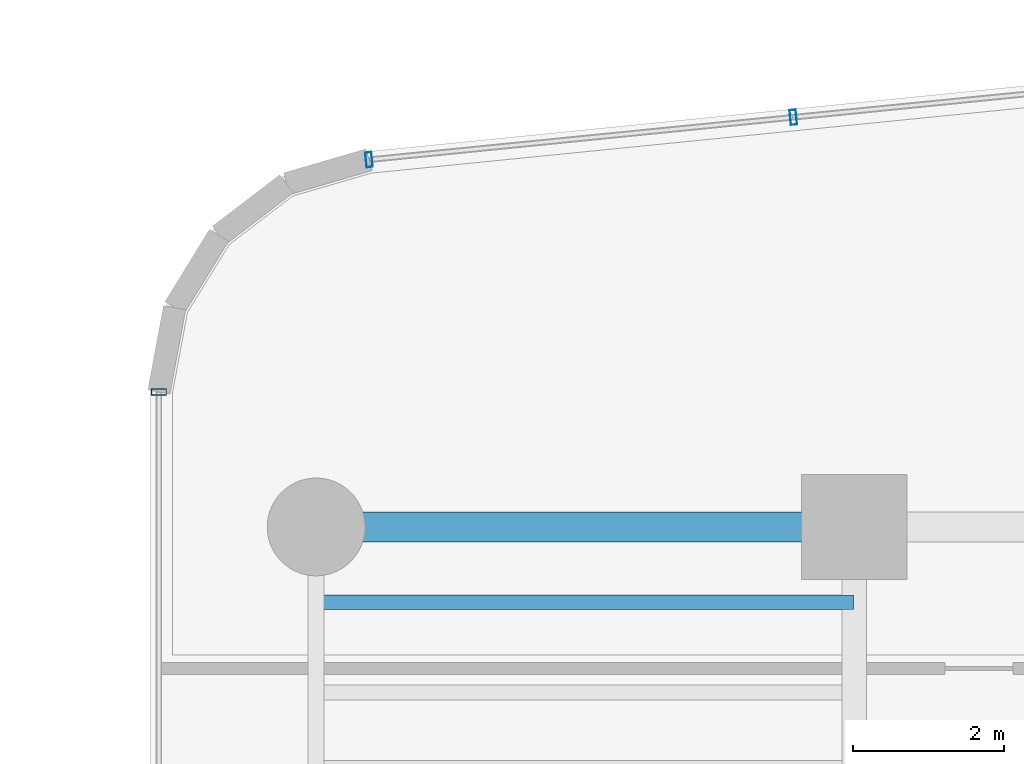
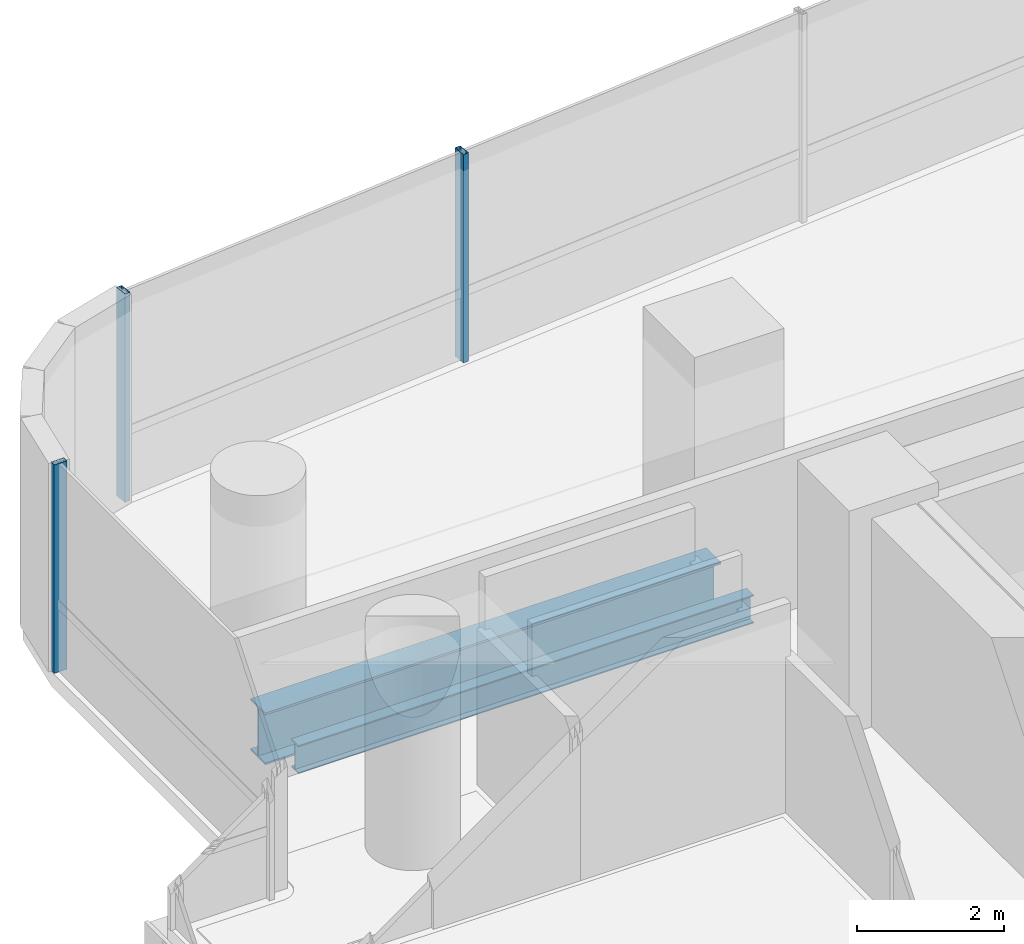
# One storey, part 17 of 39: 3 members, 2 beams, 2 elements without a shape of their own.
"""IFC4 building model written with IfcOpenShell, lengths in metres."""

from ifc_helpers import new_model, si_unit, direction, frame, origin, origin_2d, place, context, subcontext, project, spatial, hollow_rectangle, i_section, extrude, source, transform, mapped, material, material_profile, profile_set, type_object, element, aggregate, save


model = new_model("IFC4")

# Units and contexts
model_context = context("Model", 3, precision=1e-05, world=origin(), true_north=direction((0.0, 1.0)))
body_context = subcontext(model_context, "Body", "Model", "MODEL_VIEW")
ifc_project = project(units=[si_unit("LENGTHUNIT", "METRE"), si_unit("AREAUNIT", "SQUARE_METRE"), si_unit("VOLUMEUNIT", "CUBIC_METRE"), si_unit("PLANEANGLEUNIT", "RADIAN"), si_unit("MASSUNIT", "GRAM", prefix="KILO")], contexts=[model_context])

# Site, building, storey
site_placement = place(None, origin())
site = spatial("IfcSite", under=ifc_project, at=site_placement, CompositionType="ELEMENT")
building_placement = place(site_placement, origin())
building = spatial("IfcBuilding", under=site, at=building_placement, Name="Valdorenza Pilgrim Sanctuary Tower", CompositionType="ELEMENT")
storey_placement = place(building_placement, frame((0.0, 0.0, 74.10009765625)))
storey = spatial("IfcBuildingStorey", under=building, at=storey_placement, Name="L18", CompositionType="ELEMENT", Elevation=74.10009765625)

# Beams
ifc_material_1 = material(Name="Steel ASTM A992 Grade 50", Category="steel")
ifc_material_profile_1 = material_profile(ifc_material_1, i_section(OverallWidth=0.193115234375, OverallDepth=0.466064453125, WebThickness=0.011474609375, FlangeThickness=0.01904296875, at=origin_2d()), Name="W18X65")
ifc_profile_set_1 = profile_set([ifc_material_profile_1], Name="Steel ASTM A992 Grade 50")
beam_type_1 = type_object("IfcBeamType", Name="STR-BM-JST-W18A", PredefinedType="JOIST", material=ifc_profile_set_1)
shared_shape_1 = source(origin(), body_context, "Body", "SweptSolid", [
    extrude(i_section(OverallWidth=0.193115234375, OverallDepth=0.466064453125, WebThickness=0.011474609375, FlangeThickness=0.01904296875, at=origin_2d()), origin(), (0.0, 0.0, 1.0), 7.150146484375),
])
beam_1_placement = place(storey_placement, frame((-29.800048828125, 13.800048828125, -0.47314453125), z_axis=(1.0, 0.0, 0.0), x_axis=(0.0, 1.0, 0.0)))
element("IfcBeam", 1, at=beam_1_placement, inside=storey, type_object=beam_type_1, Name="L18 Composite Floor Joist JST-WA-26", PredefinedType="JOIST", context=body_context, shape_type="MappedRepresentation", body=[
    mapped(shared_shape_1, transform((0.0, 0.0, 0.0), x_axis=(1.0, 0.0, 0.0), y_axis=(0.0, 1.0, 0.0), z_axis=(0.0, 0.0, 1.0), scale=1.0)),
])
ifc_material_profile_2 = material_profile(ifc_material_1, i_section(OverallWidth=0.39990234375, OverallDepth=0.862060546875, WebThickness=0.019775390625, FlangeThickness=0.032470703125, at=origin_2d()), Name="W33X221")
ifc_profile_set_2 = profile_set([ifc_material_profile_2], Name="Steel ASTM A992 Grade 50")
beam_type_2 = type_object("IfcBeamType", Name="STR-BM-GRD-W33", PredefinedType="BEAM", material=ifc_profile_set_2)
shared_shape_2 = source(origin(), body_context, "Body", "SweptSolid", [
    extrude(i_section(OverallWidth=0.39990234375, OverallDepth=0.862060546875, WebThickness=0.019775390625, FlangeThickness=0.032470703125, at=origin_2d()), origin(), (0.0, 0.0, 1.0), 7.150146484375),
])
beam_2_placement = place(storey_placement, frame((-29.800048828125, 14.800048828125, -0.671142578125), z_axis=(1.0, 0.0, 0.0), x_axis=(0.0, 1.0, 0.0)))
element("IfcBeam", 2, at=beam_2_placement, inside=storey, type_object=beam_type_2, Name="L18 Floor Girder WA-XW-N2", PredefinedType="BEAM", context=body_context, shape_type="MappedRepresentation", body=[
    mapped(shared_shape_2, transform((0.0, 0.0, 0.0), x_axis=(1.0, 0.0, 0.0), y_axis=(0.0, 1.0, 0.0), z_axis=(0.0, 0.0, 1.0), scale=1.0)),
])

# Curtain wall, member
ifc_material_2 = material(Name="Curtain-wall IGU glazing", Category="glass")
curtain_wall_type = type_object("IfcCurtainWallType", Name="CW-SYS-02", PredefinedType="NOTDEFINED", material=ifc_material_2)
curtain_wall_1_placement = place(storey_placement, origin())
curtain_wall_1 = element("IfcCurtainWall", 3, at=curtain_wall_1_placement, inside=storey, type_object=curtain_wall_type, Name="L18 Curtain Wall CW-L18-1-1S2", PredefinedType="NOTDEFINED")
ifc_material_3 = material(Name="Anodised aluminium AW-6060", Category="aluminium")
ifc_material_profile_3 = material_profile(ifc_material_3, hollow_rectangle(XDim=0.0849609375, YDim=0.199951171875, WallThickness=0.0048828125, at=origin_2d()), Name="ALU-M 200x85x5")
ifc_profile_set_3 = profile_set([ifc_material_profile_3], Name="Anodised aluminium AW-6060")
member_type = type_object("IfcMemberType", Name="CW-MUL-02", PredefinedType="MULLION", material=ifc_profile_set_3)
shared_shape_3 = source(origin(), body_context, "Body", "SweptSolid", [
    extrude(hollow_rectangle(XDim=0.0849609375, YDim=0.199951171875, WallThickness=0.0048828125, at=origin_2d()), origin(), (0.0, 0.0, 1.0), 3.4599609375),
])
member_1_placement = place(storey_placement, frame((-31.889892578125, 16.593994140625, 0.0), z_axis=(0.0, 0.0, 1.0), x_axis=(0.0, 1.0, 0.0)))
member_1 = element("IfcMember", 4, at=member_1_placement, type_object=member_type, Name="CW-L18-1-1S2 Mullion 2", PredefinedType="MULLION", context=body_context, shape_type="MappedRepresentation", body=[
    mapped(shared_shape_3, transform((0.0, 0.0, 0.0), x_axis=(1.0, 0.0, 0.0), y_axis=(0.0, 1.0, 0.0), z_axis=(0.0, 0.0, 1.0), scale=1.0)),
])
aggregate(curtain_wall_1, [member_1])

# Curtain wall, members
curtain_wall_2_placement = place(storey_placement, origin())
curtain_wall_2 = element("IfcCurtainWall", 5, at=curtain_wall_2_placement, inside=storey, type_object=curtain_wall_type, Name="L18 Curtain Wall CW-L18-1-6", PredefinedType="NOTDEFINED")
member_2_placement = place(storey_placement, frame((-29.097412109375, 19.6796875, 0.0), z_axis=(0.0, 0.0, 1.0), x_axis=(0.995038220239, 0.099493418189, 0.0)))
member_2 = element("IfcMember", 6, at=member_2_placement, type_object=member_type, Name="CW-L18-1-6 Mullion 1", PredefinedType="MULLION", context=body_context, shape_type="MappedRepresentation", body=[
    mapped(shared_shape_3, transform((0.0, 0.0, 0.0), x_axis=(1.0, 0.0, 0.0), y_axis=(0.0, 1.0, 0.0), z_axis=(0.0, 0.0, 1.0), scale=1.0)),
])
member_3_placement = place(storey_placement, frame((-23.458984375, 20.24365234375, 0.0), z_axis=(0.0, 0.0, 1.0), x_axis=(0.995038220239, 0.099493418189, 0.0)))
member_3 = element("IfcMember", 7, at=member_3_placement, type_object=member_type, Name="CW-L18-1-6 Mullion 2", PredefinedType="MULLION", context=body_context, shape_type="MappedRepresentation", body=[
    mapped(shared_shape_3, transform((0.0, 0.0, 0.0), x_axis=(1.0, 0.0, 0.0), y_axis=(0.0, 1.0, 0.0), z_axis=(0.0, 0.0, 1.0), scale=1.0)),
])
aggregate(curtain_wall_2, [member_2, member_3])

save(model, "model.ifc")
